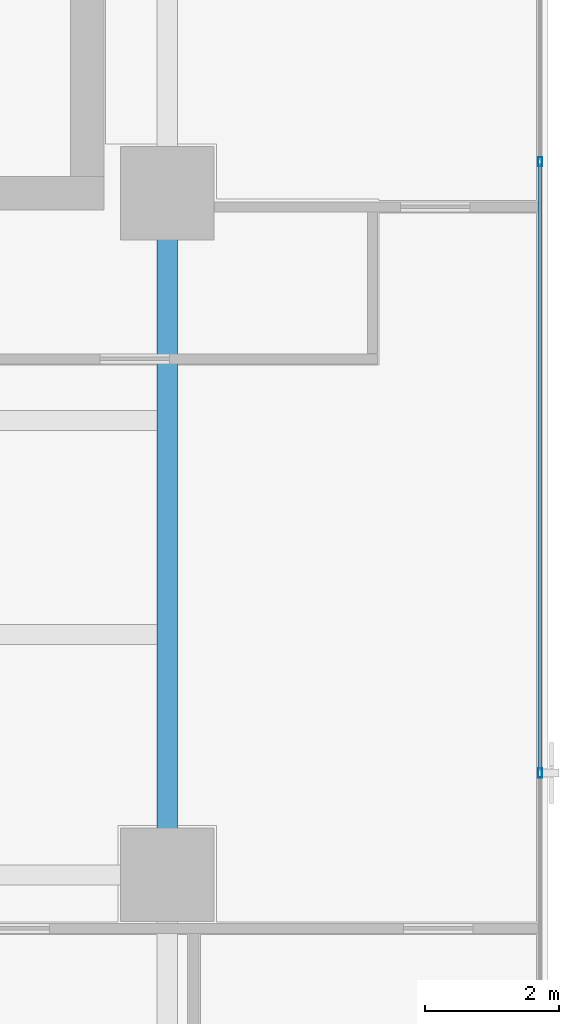
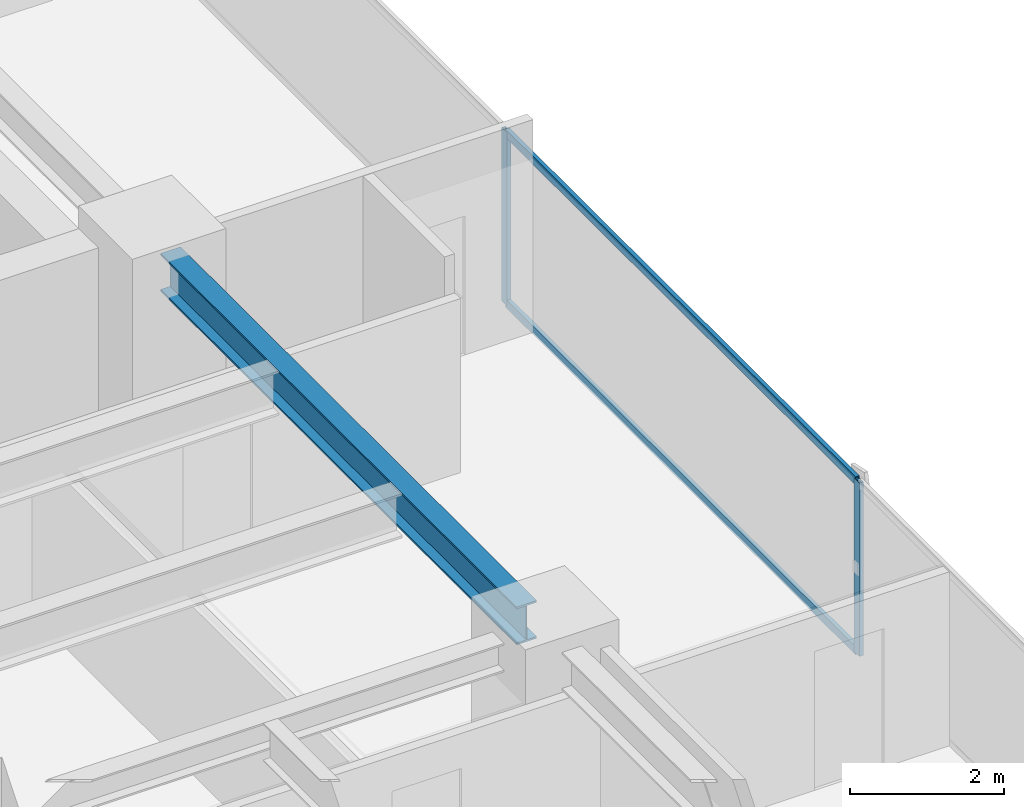
# One storey, part 13 of 26: 4 members, 1 beam, 1 element without a shape of its own.
"""IFC4 building model written with IfcOpenShell, lengths in metres."""

import ifcopenshell
import ifcopenshell.guid

model = None  # the IFC model being written
_history = None  # IfcOwnerHistory: only IFC2X3 demands one
_inside = {}  # id of a spatial element -> (the spatial element, [elements in it])
_under = {}  # id of a project, library or spatial element -> (it, [spatial elements below it])
_declared = {}  # id of a project -> (the project, [libraries it declares])
_typed = {}  # id of a type object -> (the type object, [elements of that type])
_made_of = {}  # id of a material, layer set ... -> (it, [elements and type objects made of it])


def new_model(schema):
    """Start an empty IFC model of exactly this schema.

    Asked for "IFC4X3", IfcOpenShell would pick the latest addendum, in which some entities
    have other attributes; the version numbers below select the first issue.
    IFC2X3 requires an IfcOwnerHistory on every rooted entity: one is made here for all.
    """
    global model, _history
    if schema == "IFC4X3":
        model = ifcopenshell.file(schema_version=(4, 3, 0, 0))
    else:
        model = ifcopenshell.file(schema=schema)
    _inside.clear()
    _under.clear()
    _declared.clear()
    _typed.clear()
    _made_of.clear()
    _history = None
    if model.schema == "IFC2X3":
        org = make("IfcOrganization", Name="unknown")
        user = make(
            "IfcPersonAndOrganization",
            ThePerson=make("IfcPerson", FamilyName="unknown"),
            TheOrganization=org,
        )
        app = make(
            "IfcApplication",
            ApplicationDeveloper=org,
            Version="unknown",
            ApplicationFullName="unknown",
            ApplicationIdentifier="unknown",
        )
        _history = make(
            "IfcOwnerHistory",
            OwningUser=user,
            OwningApplication=app,
            ChangeAction="ADDED",
            CreationDate=0,
        )
    return model


def make(cls, **values):
    """One entity of the class cls with the attributes given. An attribute that is None is left unset."""
    return model.create_entity(
        cls, **{name: value for name, value in values.items() if value is not None}
    )


def rooted(cls, **values):
    """An entity with a GlobalId (a new one), such as an element, a storey or a relation."""
    return make(cls, GlobalId=ifcopenshell.guid.new(), OwnerHistory=_history, **values)


def si_unit(unit_type, name, prefix=None):
    """IfcSIUnit, for example si_unit("LENGTHUNIT", "METRE", prefix="MILLI")."""
    return make("IfcSIUnit", UnitType=unit_type, Prefix=prefix, Name=name)


def assignment(units):
    """IfcUnitAssignment: the units of a project."""
    return None if units is None else make("IfcUnitAssignment", Units=units)


def point(xyz):
    """IfcCartesianPoint."""
    return None if xyz is None else make("IfcCartesianPoint", Coordinates=xyz)


def direction(xyz):
    """IfcDirection."""
    return None if xyz is None else make("IfcDirection", DirectionRatios=xyz)


def frame(location, z_axis=None, x_axis=None):
    """IfcAxis2Placement3D, a coordinate frame: its origin and axes. An axis left out is left unset."""
    return make(
        "IfcAxis2Placement3D",
        Location=point(location),
        Axis=direction(z_axis),
        RefDirection=direction(x_axis),
    )


def frame_2d(location, x_axis=None):
    """IfcAxis2Placement2D, a coordinate frame in the plane: its origin and x axis."""
    return make(
        "IfcAxis2Placement2D", Location=point(location), RefDirection=direction(x_axis)
    )


def origin():
    """The frame at (0, 0, 0) with its axes left unset."""
    return frame((0.0, 0.0, 0.0))


def origin_2d():
    """The frame at (0, 0) in the plane with its x axis left unset."""
    return frame_2d((0.0, 0.0))


def place(relative_to, where):
    """IfcLocalPlacement: puts the frame where relative to a parent placement (None: the world)."""
    return make(
        "IfcLocalPlacement", PlacementRelTo=relative_to, RelativePlacement=where
    )


def context(
    kind, dimensions, precision=None, world=None, true_north=None, identifier=None
):
    """IfcGeometricRepresentationContext, for example the 3D "Model" context."""
    return make(
        "IfcGeometricRepresentationContext",
        ContextIdentifier=identifier,
        ContextType=kind,
        CoordinateSpaceDimension=dimensions,
        Precision=precision,
        WorldCoordinateSystem=world,
        TrueNorth=true_north,
    )


def subcontext(parent, identifier, kind, view, scale=None):
    """IfcGeometricRepresentationSubContext, for example "Body" below "Model"."""
    return make(
        "IfcGeometricRepresentationSubContext",
        ContextIdentifier=identifier,
        ContextType=kind,
        ParentContext=parent,
        TargetScale=scale,
        TargetView=view,
    )


def project(units=None, contexts=None):
    """IfcProject with its units and contexts."""
    return rooted(
        "IfcProject",
        Name="project",
        RepresentationContexts=contexts,
        UnitsInContext=assignment(units),
    )


def spatial(cls, under=None, at=None, **own):
    """A site, building, storey or space (cls), placed at a placement, below another one or the project."""
    s = rooted(cls, ObjectPlacement=at, **own)
    if under is not None:
        _under.setdefault(under.id(), (under, []))[1].append(s)
    return s


def profile(cls, at=None, kind="AREA", **sizes):
    """A parametric profile (cls). Its sizes go by their IFC names, for example OverallWidth=200.0."""
    return make(cls, ProfileType=kind, Position=at, **sizes)


def hollow_rectangle(**sizes):
    """IfcRectangleHollowProfileDef."""
    return profile("IfcRectangleHollowProfileDef", **sizes)


def i_section(**sizes):
    """IfcIShapeProfileDef."""
    return profile("IfcIShapeProfileDef", **sizes)


def extrude(swept, where, along, depth):
    """IfcExtrudedAreaSolid: the profile swept, set in the frame where, extruded along a direction by depth."""
    return make(
        "IfcExtrudedAreaSolid",
        SweptArea=swept,
        Position=where,
        ExtrudedDirection=direction(along),
        Depth=depth,
    )


def shape(context_of_items, identifier, shape_type, items):
    """IfcShapeRepresentation: the items that make up one representation, for example the "Body"."""
    return make(
        "IfcShapeRepresentation",
        ContextOfItems=context_of_items,
        RepresentationIdentifier=identifier,
        RepresentationType=shape_type,
        Items=items,
    )


def source(mapping_origin, context_of_items, identifier, shape_type, items):
    """IfcRepresentationMap: a shape defined once, which mapped items show again and again."""
    return make(
        "IfcRepresentationMap",
        MappingOrigin=mapping_origin,
        MappedRepresentation=shape(context_of_items, identifier, shape_type, items),
    )


def transform(
    local_origin,
    x_axis=None,
    y_axis=None,
    z_axis=None,
    scale=None,
    scale2=None,
    scale3=None,
    uniform=True,
):
    """IfcCartesianTransformationOperator3D, or its non-uniform kind. x_axis, y_axis, z_axis: its Axis1, 2, 3."""
    if uniform:
        return make(
            "IfcCartesianTransformationOperator3D",
            Axis1=direction(x_axis),
            Axis2=direction(y_axis),
            LocalOrigin=point(local_origin),
            Scale=scale,
            Axis3=direction(z_axis),
        )
    return make(
        "IfcCartesianTransformationOperator3DnonUniform",
        Axis1=direction(x_axis),
        Axis2=direction(y_axis),
        LocalOrigin=point(local_origin),
        Scale=scale,
        Axis3=direction(z_axis),
        Scale2=scale2,
        Scale3=scale3,
    )


def mapped(mapping_source, mapping_target):
    """IfcMappedItem: shows the shape of a source again, moved by a transform."""
    return make(
        "IfcMappedItem", MappingSource=mapping_source, MappingTarget=mapping_target
    )


def material(Name=None, Category=None):
    """IfcMaterial."""
    return make("IfcMaterial", Name=Name, Category=Category)


def layer(
    of_material, thickness, ventilated=None, Name=None, Category=None, Priority=None
):
    """IfcMaterialLayer: one layer of a wall or slab, of a material (None: an air gap)."""
    return make(
        "IfcMaterialLayer",
        Material=of_material,
        LayerThickness=thickness,
        IsVentilated=ventilated,
        Name=Name,
        Category=Category,
        Priority=Priority,
    )


def layer_set(layers, Name=None):
    """IfcMaterialLayerSet."""
    return make("IfcMaterialLayerSet", MaterialLayers=layers, LayerSetName=Name)


def material_profile(
    of_material, cross_section, Name=None, Category=None, Priority=None
):
    """IfcMaterialProfile: a cross section and its material."""
    return make(
        "IfcMaterialProfile",
        Name=Name,
        Material=of_material,
        Profile=cross_section,
        Priority=Priority,
        Category=Category,
    )


def profile_set(profiles, Name=None, composite=None):
    """IfcMaterialProfileSet."""
    return make(
        "IfcMaterialProfileSet",
        Name=Name,
        MaterialProfiles=profiles,
        CompositeProfile=composite,
    )


def made_of(thing, what):
    """Note that an element or type object is made of a material, layer set ...; save() writes the relation."""
    if what is not None:
        _made_of.setdefault(what.id(), (what, []))[1].append(thing)
    return thing


def type_object(cls, material=None, **own):
    """A type object (cls), such as IfcWallType, which elements share."""
    return made_of(rooted(cls, **own), material)


def element(
    cls,
    number,
    at=None,
    inside=None,
    cuts=None,
    type_object=None,
    material=None,
    context=None,
    identifier="Body",
    shape_type=None,
    held_by="IfcProductDefinitionShape",
    body=None,
    shapes=None,
    **own,
):
    """One element of the class cls, such as IfcWall. Its Tag is "e" and its number.

    at: its placement. inside: the storey or other place that contains it. cuts: it is an
    opening in that element (IfcRelVoidsElement). A single representation is given by context,
    identifier, shape_type and body (its items); several are given by shapes. held_by: the class
    of the entity that holds the representations. save() writes the other relations.
    """
    e = rooted(cls, Tag="e%d" % number, ObjectPlacement=at, **own)
    if body is not None:
        shapes = [shape(context, identifier, shape_type, body)]
    if shapes is not None:
        e.Representation = make(held_by, Representations=shapes)
    if inside is not None:
        _inside.setdefault(inside.id(), (inside, []))[1].append(e)
    if cuts is not None:
        rooted(
            "IfcRelVoidsElement", RelatingBuildingElement=cuts, RelatedOpeningElement=e
        )
    if type_object is not None:
        _typed.setdefault(type_object.id(), (type_object, []))[1].append(e)
    return made_of(e, material)


def aggregate(whole, parts):
    """IfcRelAggregates: a whole, such as a stair, and the parts it consists of."""
    return rooted("IfcRelAggregates", RelatingObject=whole, RelatedObjects=parts)


def save(model, path):
    """Write the relations noted so far, then the file.

    IfcRelAggregates (storeys below a building ...), IfcRelContainedInSpatialStructure (elements
    in a storey), IfcRelDefinesByType, IfcRelAssociatesMaterial and IfcRelDeclares: one each for
    every whole, place, type object, material and project.
    """
    for whole, parts in _under.values():
        aggregate(whole, parts)
    for where, things in _inside.values():
        rooted(
            "IfcRelContainedInSpatialStructure",
            RelatedElements=things,
            RelatingStructure=where,
        )
    for kind, things in _typed.values():
        rooted("IfcRelDefinesByType", RelatedObjects=things, RelatingType=kind)
    for what, things in _made_of.values():
        rooted("IfcRelAssociatesMaterial", RelatedObjects=things, RelatingMaterial=what)
    for by, libraries in _declared.values():
        rooted("IfcRelDeclares", RelatingContext=by, RelatedDefinitions=libraries)
    model.write(path)


model = new_model("IFC4")

# Units and contexts
model_context = context("Model", 3, precision=1e-05, world=origin(), true_north=direction((0.0, 1.0)))
body_context = subcontext(model_context, "Body", "Model", "MODEL_VIEW")
ifc_project = project(units=[si_unit("LENGTHUNIT", "METRE"), si_unit("AREAUNIT", "SQUARE_METRE"), si_unit("VOLUMEUNIT", "CUBIC_METRE"), si_unit("PLANEANGLEUNIT", "RADIAN"), si_unit("MASSUNIT", "GRAM", prefix="KILO")], contexts=[model_context])

# Site, building, storey
site_placement = place(None, origin())
site = spatial("IfcSite", under=ifc_project, at=site_placement, CompositionType="ELEMENT")
building_placement = place(site_placement, origin())
building = spatial("IfcBuilding", under=site, at=building_placement, Name="Sumidabori Civic Tower", CompositionType="ELEMENT")
storey_placement = place(building_placement, frame((0.0, 0.0, 243.199951171875)))
storey = spatial("IfcBuildingStorey", under=building, at=storey_placement, Name="L63", CompositionType="ELEMENT", Elevation=243.199951171875)

# Beam
ifc_material_1 = material(Name="Steel SN490", Category="steel")
ifc_material_profile_1 = material_profile(ifc_material_1, i_section(OverallWidth=0.300048828125, OverallDepth=0.60009765625, WebThickness=0.015380859375, FlangeThickness=0.030029296875, at=origin_2d()), Name="HE 600 B")
ifc_profile_set_1 = profile_set([ifc_material_profile_1], Name="Steel SN490")
beam_type = type_object("IfcBeamType", Name="BM-GIRD-600", PredefinedType="BEAM", material=ifc_profile_set_1)
shared_shape_1 = source(origin(), body_context, "Body", "SweptSolid", [
    extrude(i_section(OverallWidth=0.300048828125, OverallDepth=0.60009765625, WebThickness=0.015380859375, FlangeThickness=0.030029296875, at=origin_2d()), origin(), (0.0, 0.0, 1.0), 9.239990234375),
])
beam_placement = place(storey_placement, frame((16.800048828125, 0.47998046875, 3.070068359375), z_axis=(0.0, 1.0, 0.0), x_axis=(-1.0, 0.0, 0.0)))
element("IfcBeam", 1, at=beam_placement, inside=storey, type_object=beam_type, Name="Primary Girder L63 GY-16", PredefinedType="BEAM", context=body_context, shape_type="MappedRepresentation", body=[
    mapped(shared_shape_1, transform((0.0, 0.0, 0.0), x_axis=(1.0, 0.0, 0.0), y_axis=(0.0, 1.0, 0.0), z_axis=(0.0, 0.0, 1.0), scale=1.0)),
])

# Curtain wall, members
ifc_material_2 = material(Name="Anodised Bronze Aluminium AW-6063-T6", Category="aluminium")
ifc_layer = layer(ifc_material_2, 0.179931640625, Name="Anodised Bronze Aluminium AW-6063-T6")
ifc_layer_set = layer_set([ifc_layer], Name="Anodised Bronze Aluminium AW-6063-T6")
curtain_wall_type = type_object("IfcCurtainWallType", Name="CW-SYS-5", PredefinedType="NOTDEFINED", material=ifc_layer_set)
curtain_wall_placement = place(storey_placement, origin())
curtain_wall = element("IfcCurtainWall", 2, at=curtain_wall_placement, inside=storey, type_object=curtain_wall_type, Name="Curtain Wall CW:L63:R04", PredefinedType="NOTDEFINED")
ifc_material_profile_2 = material_profile(ifc_material_2, hollow_rectangle(XDim=0.06005859375, YDim=0.139892578125, WallThickness=0.0048828125, at=origin_2d()), Name="ALU MULLION 140x60")
ifc_profile_set_2 = profile_set([ifc_material_profile_2], Name="Anodised Bronze Aluminium AW-6063-T6")
member_type_1 = type_object("IfcMemberType", Name="CW-MUL-140", PredefinedType="MULLION", material=ifc_profile_set_2)
shared_shape_2 = source(origin(), body_context, "Body", "SweptSolid", [
    extrude(hollow_rectangle(XDim=0.06005859375, YDim=0.139892578125, WallThickness=0.0048828125, at=origin_2d()), origin(), (0.0, 0.0, 1.0), 2.75),
])
member_1_placement = place(storey_placement, frame((22.3798828125, 1.526611328125, 0.0), z_axis=(0.0, 0.0, 1.0), x_axis=(-1.0, 0.0, 0.0)))
member_1 = element("IfcMember", 3, at=member_1_placement, type_object=member_type_1, Name="CW-5 mullion 2", PredefinedType="MULLION", context=body_context, shape_type="MappedRepresentation", body=[
    mapped(shared_shape_2, transform((0.0, 0.0, 0.0), x_axis=(1.0, 0.0, 0.0), y_axis=(0.0, 1.0, 0.0), z_axis=(0.0, 0.0, 1.0), scale=1.0)),
])
member_2_placement = place(storey_placement, frame((22.3798828125, 10.67333984375, 0.0), z_axis=(0.0, 0.0, 1.0), x_axis=(-1.0, 0.0, 0.0)))
member_2 = element("IfcMember", 4, at=member_2_placement, type_object=member_type_1, Name="CW-5 mullion 3", PredefinedType="MULLION", context=body_context, shape_type="MappedRepresentation", body=[
    mapped(shared_shape_2, transform((0.0, 0.0, 0.0), x_axis=(1.0, 0.0, 0.0), y_axis=(0.0, 1.0, 0.0), z_axis=(0.0, 0.0, 1.0), scale=1.0)),
])
ifc_material_profile_3 = material_profile(ifc_material_2, hollow_rectangle(XDim=0.06005859375, YDim=0.1298828125, WallThickness=0.0048828125, at=origin_2d()), Name="ALU TRANSOM 130x60")
ifc_profile_set_3 = profile_set([ifc_material_profile_3], Name="Anodised Bronze Aluminium AW-6063-T6")
member_type_2 = type_object("IfcMemberType", Name="CW-TRN-130", PredefinedType="USERDEFINED", material=ifc_profile_set_3)
shared_shape_3 = source(origin(), body_context, "Body", "SweptSolid", [
    extrude(hollow_rectangle(XDim=0.06005859375, YDim=0.1298828125, WallThickness=0.0048828125, at=origin_2d()), origin(), (0.0, 0.0, 1.0), 9.086669921875),
])
member_3_placement = place(storey_placement, frame((22.3798828125, 1.556640625, 0.030029296875), z_axis=(0.0, 1.0, 0.0), x_axis=(-1.0, 0.0, 0.0)))
member_3 = element("IfcMember", 5, at=member_3_placement, type_object=member_type_2, Name="CW-5 transom 2.1", ObjectType="TRANSOM", PredefinedType="USERDEFINED", context=body_context, shape_type="MappedRepresentation", body=[
    mapped(shared_shape_3, transform((0.0, 0.0, 0.0), x_axis=(1.0, 0.0, 0.0), y_axis=(0.0, 1.0, 0.0), z_axis=(0.0, 0.0, 1.0), scale=1.0)),
])
member_4_placement = place(storey_placement, frame((22.3798828125, 1.556640625, 2.719970703125), z_axis=(0.0, 1.0, 0.0), x_axis=(-1.0, 0.0, 0.0)))
member_4 = element("IfcMember", 6, at=member_4_placement, type_object=member_type_2, Name="CW-5 transom 2.2", ObjectType="TRANSOM", PredefinedType="USERDEFINED", context=body_context, shape_type="MappedRepresentation", body=[
    mapped(shared_shape_3, transform((0.0, 0.0, 0.0), x_axis=(1.0, 0.0, 0.0), y_axis=(0.0, 1.0, 0.0), z_axis=(0.0, 0.0, 1.0), scale=1.0)),
])
aggregate(curtain_wall, [member_1, member_2, member_3, member_4])

save(model, "model.ifc")
